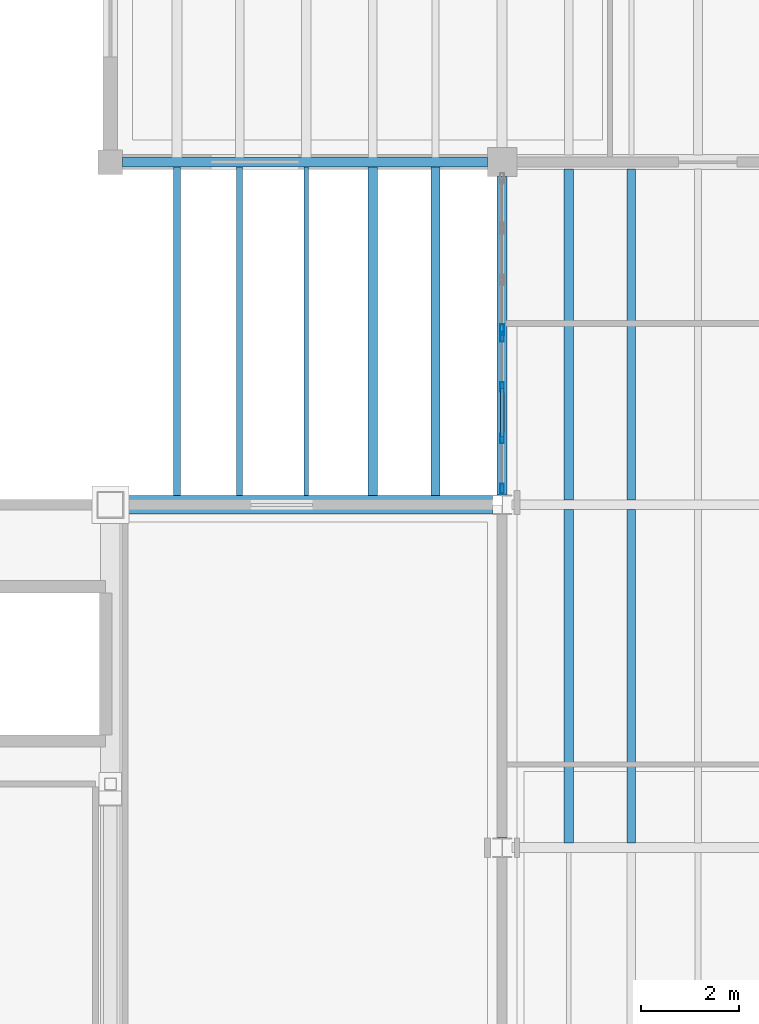
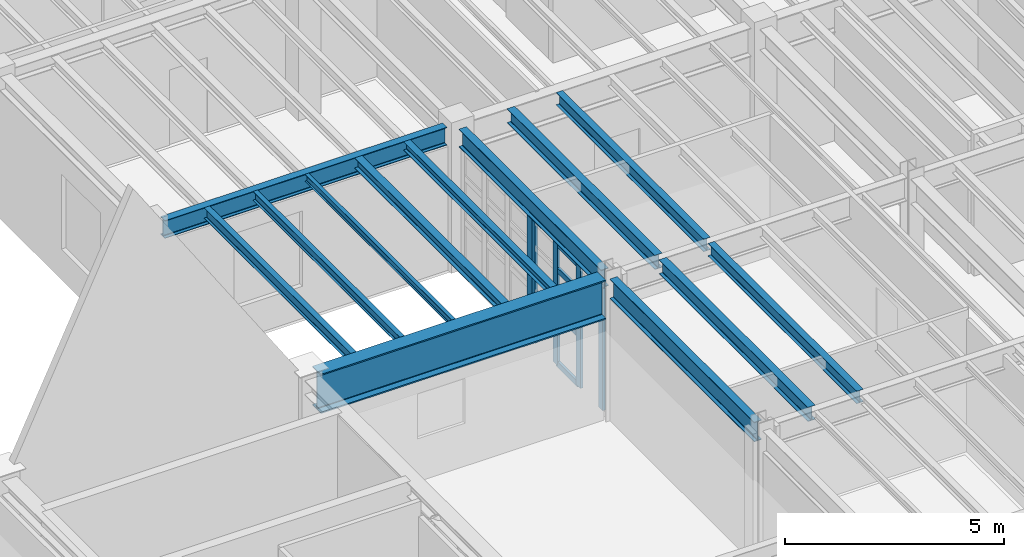
# One storey, part 41 of 78: 13 beams, 9 members, 2 elements without a shape of their own.
"""IFC4 building model written with IfcOpenShell, lengths in metres."""

from ifc_helpers import new_model, si_unit, direction, frame, origin, origin_2d, place, context, subcontext, project, spatial, hollow_rectangle, i_section, extrude, material, material_profile, profile_set, type_object, element, aggregate, save


model = new_model("IFC4")

# Units and contexts
model_context = context("Model", 3, precision=1e-05, world=origin(), true_north=direction((0.0, 1.0)))
body_context = subcontext(model_context, "Body", "Model", "MODEL_VIEW")
ifc_project = project(units=[si_unit("LENGTHUNIT", "METRE"), si_unit("AREAUNIT", "SQUARE_METRE"), si_unit("VOLUMEUNIT", "CUBIC_METRE"), si_unit("PLANEANGLEUNIT", "RADIAN"), si_unit("MASSUNIT", "GRAM", prefix="KILO"), si_unit("THERMODYNAMICTEMPERATUREUNIT", "KELVIN"), si_unit("POWERUNIT", "WATT")], contexts=[model_context])

# Site, building, storey
site_placement = place(None, origin())
site = spatial("IfcSite", under=ifc_project, at=site_placement, CompositionType="ELEMENT")
building_placement = place(site_placement, origin())
building = spatial("IfcBuilding", under=site, at=building_placement, Name="Zhenchuan Central Fire Station", CompositionType="ELEMENT")
storey_placement = place(building_placement, frame((0.0, 0.0, 5.85009765625)))
storey = spatial("IfcBuildingStorey", under=building, at=storey_placement, Name="L02", CompositionType="ELEMENT", Elevation=5.85009765625)

# Beams
ifc_material_1 = material(Name="Steel Q355B", Category="steel")
ifc_material_profile_1 = material_profile(ifc_material_1, i_section(OverallWidth=0.199951171875, OverallDepth=0.5, WebThickness=0.010009765625, FlangeThickness=0.01611328125, FilletRadius=0.02001953125, at=origin_2d()), Name="HN 500x200")
ifc_profile_set_1 = profile_set([ifc_material_profile_1], Name="Steel Q355B")
beam_type_1 = type_object("IfcBeamType", Name="BM-HN500-INT", PredefinedType="BEAM", material=ifc_profile_set_1)
beam_1_placement = place(storey_placement, frame((140.0, 35.699951171875, 3.7099609375), z_axis=(0.0, 1.0, 0.0), x_axis=(-1.0, 0.0, 0.0)))
element("IfcBeam", 1, at=beam_1_placement, inside=storey, type_object=beam_type_1, Name="L03 Girder NS 0323", PredefinedType="BEAM", context=body_context, shape_type="SweptSolid", body=[
    extrude(i_section(OverallWidth=0.199951171875, OverallDepth=0.5, WebThickness=0.010009765625, FlangeThickness=0.01611328125, FilletRadius=0.02001953125, at=origin_2d()), origin(), (0.0, 0.0, 1.0), 6.5),
])
ifc_material_profile_2 = material_profile(ifc_material_1, i_section(OverallWidth=0.199951171875, OverallDepth=0.550048828125, WebThickness=0.010009765625, FlangeThickness=0.01611328125, FilletRadius=0.02001953125, at=origin_2d()), Name="HN 550x200")
ifc_profile_set_2 = profile_set([ifc_material_profile_2], Name="Steel Q355B")
beam_type_2 = type_object("IfcBeamType", Name="BM-HN550-INT", PredefinedType="BEAM", material=ifc_profile_set_2)
beam_2_placement = place(storey_placement, frame((140.0, 28.699951171875, 3.684814453125), z_axis=(0.0, 1.0, 0.0), x_axis=(-1.0, 0.0, 0.0)))
element("IfcBeam", 2, at=beam_2_placement, inside=storey, type_object=beam_type_2, Name="L03 Girder NS 0322", PredefinedType="BEAM", context=body_context, shape_type="SweptSolid", body=[
    extrude(i_section(OverallWidth=0.199951171875, OverallDepth=0.550048828125, WebThickness=0.010009765625, FlangeThickness=0.01611328125, FilletRadius=0.02001953125, at=origin_2d()), origin(), (0.0, 0.0, 1.0), 6.60009765625),
])
ifc_material_profile_3 = material_profile(ifc_material_1, i_section(OverallWidth=0.3798828125, OverallDepth=1.10009765625, WebThickness=0.02001953125, FlangeThickness=0.035888671875, FilletRadius=0.02392578125, at=origin_2d()), Name="PG 1100x380")
ifc_profile_set_3 = profile_set([ifc_material_profile_3], Name="Steel Q355B")
beam_type_3 = type_object("IfcBeamType", Name="BM-PG1100", PredefinedType="BEAM", material=ifc_profile_set_3)
beam_3_placement = place(storey_placement, frame((132.27490234375, 35.5, 3.409912109375), z_axis=(1.0, 0.0, 0.0), x_axis=(0.0, 1.0, 0.0)))
element("IfcBeam", 3, at=beam_3_placement, inside=storey, type_object=beam_type_3, Name="L03 Girder EW 0238", PredefinedType="BEAM", context=body_context, shape_type="SweptSolid", body=[
    extrude(i_section(OverallWidth=0.3798828125, OverallDepth=1.10009765625, WebThickness=0.02001953125, FlangeThickness=0.035888671875, FilletRadius=0.02392578125, at=origin_2d()), origin(), (0.0, 0.0, 1.0), 7.525146484375),
])

# Curtain wall, members
ifc_material_2 = material(Name="Anodised aluminium and low-E glazing", Category="aluminium")
curtain_wall_type_1 = type_object("IfcCurtainWallType", Name="CW-MOD-11", PredefinedType="USERDEFINED", material=ifc_material_2)
curtain_wall_1_placement = place(storey_placement, origin())
curtain_wall_1 = element("IfcCurtainWall", 4, at=curtain_wall_1_placement, inside=storey, type_object=curtain_wall_type_1, Name="L02 Unitised Curtain Wall 098", ObjectType="UNITISED GLAZING", PredefinedType="USERDEFINED")
ifc_material_3 = material(Name="Anodised aluminium EN AW-6063", Category="aluminium")
ifc_material_profile_4 = material_profile(ifc_material_3, hollow_rectangle(XDim=0.074951171875, YDim=0.199951171875, WallThickness=0.0048828125, at=origin_2d()), Name="ALU-M 200x75")
ifc_profile_set_4 = profile_set([ifc_material_profile_4], Name="Anodised aluminium EN AW-6063")
member_type_1 = type_object("IfcMemberType", Name="CW-MUL160", PredefinedType="MULLION", material=ifc_profile_set_4)
member_1_placement = place(storey_placement, frame((140.0, 35.83251953125, -0.004150390625), z_axis=(0.0, 0.0, 1.0), x_axis=(-1.0, 0.0, 0.0)))
member_1 = element("IfcMember", 5, at=member_1_placement, type_object=member_type_1, Name="CW-11 mullion 1", PredefinedType="MULLION", context=body_context, shape_type="SweptSolid", body=[
    extrude(hollow_rectangle(XDim=0.074951171875, YDim=0.199951171875, WallThickness=0.0048828125, at=origin_2d()), origin(), (0.0, 0.0, 1.0), 3.404052734375),
])
member_2_placement = place(storey_placement, frame((140.0, 36.85400390625, -0.004150390625), z_axis=(0.0, 0.0, 1.0), x_axis=(-1.0, 0.0, 0.0)))
member_2 = element("IfcMember", 6, at=member_2_placement, type_object=member_type_1, Name="CW-11 mullion 2", PredefinedType="MULLION", context=body_context, shape_type="SweptSolid", body=[
    extrude(hollow_rectangle(XDim=0.074951171875, YDim=0.199951171875, WallThickness=0.0048828125, at=origin_2d()), origin(), (0.0, 0.0, 1.0), 3.404052734375),
])
member_3_placement = place(storey_placement, frame((140.0, 37.907958984375, -0.004150390625), z_axis=(0.0, 0.0, 1.0), x_axis=(-1.0, 0.0, 0.0)))
member_3 = element("IfcMember", 7, at=member_3_placement, type_object=member_type_1, Name="CW-11 mullion 3", PredefinedType="MULLION", context=body_context, shape_type="SweptSolid", body=[
    extrude(hollow_rectangle(XDim=0.074951171875, YDim=0.199951171875, WallThickness=0.0048828125, at=origin_2d()), origin(), (0.0, 0.0, 1.0), 3.404052734375),
])
member_4_placement = place(storey_placement, frame((140.0, 38.929443359375, -0.004150390625), z_axis=(0.0, 0.0, 1.0), x_axis=(-1.0, 0.0, 0.0)))
member_4 = element("IfcMember", 8, at=member_4_placement, type_object=member_type_1, Name="CW-11 mullion 4", PredefinedType="MULLION", context=body_context, shape_type="SweptSolid", body=[
    extrude(hollow_rectangle(XDim=0.074951171875, YDim=0.199951171875, WallThickness=0.0048828125, at=origin_2d()), origin(), (0.0, 0.0, 1.0), 3.404052734375),
])

# Curtain wall, member
curtain_wall_type_2 = type_object("IfcCurtainWallType", Name="CW-MOD-12", PredefinedType="USERDEFINED", material=ifc_material_2)
curtain_wall_2_placement = place(storey_placement, origin())
curtain_wall_2 = element("IfcCurtainWall", 9, at=curtain_wall_2_placement, inside=storey, type_object=curtain_wall_type_2, Name="L02 Unitised Curtain Wall 099", ObjectType="UNITISED GLAZING", PredefinedType="USERDEFINED")
ifc_material_profile_5 = material_profile(ifc_material_3, hollow_rectangle(XDim=0.080078125, YDim=0.219970703125, WallThickness=0.005615234375, at=origin_2d()), Name="ALU-M 220x80")
ifc_profile_set_5 = profile_set([ifc_material_profile_5], Name="Anodised aluminium EN AW-6063")
member_type_2 = type_object("IfcMemberType", Name="CW-MUL200", PredefinedType="MULLION", material=ifc_profile_set_5)
member_5_placement = place(storey_placement, frame((140.0, 39.075439453125, -0.004150390625), z_axis=(0.0, 0.0, 1.0), x_axis=(-1.0, 0.0, 0.0)))
member_5 = element("IfcMember", 10, at=member_5_placement, type_object=member_type_2, Name="CW-12 mullion 1", PredefinedType="MULLION", context=body_context, shape_type="SweptSolid", body=[
    extrude(hollow_rectangle(XDim=0.080078125, YDim=0.219970703125, WallThickness=0.005615234375, at=origin_2d()), origin(), (0.0, 0.0, 1.0), 3.404052734375),
])
aggregate(curtain_wall_2, [member_5])

# Member
ifc_material_profile_6 = material_profile(ifc_material_3, hollow_rectangle(XDim=0.074951171875, YDim=0.14990234375, WallThickness=0.0048828125, at=origin_2d()), Name="ALU-T 150x75")
ifc_profile_set_6 = profile_set([ifc_material_profile_6], Name="Anodised aluminium EN AW-6063")
member_type_3 = type_object("IfcMemberType", Name="CW-TRN130", PredefinedType="NOTDEFINED", material=ifc_profile_set_6)
member_6_placement = place(storey_placement, frame((140.0, 36.886474609375, 0.0283203125), z_axis=(0.0, 1.0, 0.0), x_axis=(-1.0, 0.0, 0.0)))
member_6 = element("IfcMember", 11, at=member_6_placement, type_object=member_type_3, Name="CW-11 transom 2.1", ObjectType="TRANSOM", PredefinedType="USERDEFINED", context=body_context, shape_type="SweptSolid", body=[
    extrude(hollow_rectangle(XDim=0.074951171875, YDim=0.14990234375, WallThickness=0.0048828125, at=origin_2d()), origin(), (0.0, 0.0, 1.0), 0.989013671875),
])

member_7_placement = place(storey_placement, frame((140.0, 36.886474609375, 1.427978515625), z_axis=(0.0, 1.0, 0.0), x_axis=(-1.0, 0.0, 0.0)))
member_7 = element("IfcMember", 12, at=member_7_placement, type_object=member_type_3, Name="CW-11 transom 2.2", ObjectType="TRANSOM", PredefinedType="USERDEFINED", context=body_context, shape_type="SweptSolid", body=[
    extrude(hollow_rectangle(XDim=0.074951171875, YDim=0.14990234375, WallThickness=0.0048828125, at=origin_2d()), origin(), (0.0, 0.0, 1.0), 0.989013671875),
])

member_8_placement = place(storey_placement, frame((140.0, 36.886474609375, 2.65185546875), z_axis=(0.0, 1.0, 0.0), x_axis=(-1.0, 0.0, 0.0)))
member_8 = element("IfcMember", 13, at=member_8_placement, type_object=member_type_3, Name="CW-11 transom 2.3", ObjectType="TRANSOM", PredefinedType="USERDEFINED", context=body_context, shape_type="SweptSolid", body=[
    extrude(hollow_rectangle(XDim=0.074951171875, YDim=0.14990234375, WallThickness=0.0048828125, at=origin_2d()), origin(), (0.0, 0.0, 1.0), 0.989013671875),
])

member_9_placement = place(storey_placement, frame((140.0, 36.886474609375, 3.367431640625), z_axis=(0.0, 1.0, 0.0), x_axis=(-1.0, 0.0, 0.0)))
member_9 = element("IfcMember", 14, at=member_9_placement, type_object=member_type_3, Name="CW-11 transom 2.4", ObjectType="TRANSOM", PredefinedType="USERDEFINED", context=body_context, shape_type="SweptSolid", body=[
    extrude(hollow_rectangle(XDim=0.074951171875, YDim=0.14990234375, WallThickness=0.0048828125, at=origin_2d()), origin(), (0.0, 0.0, 1.0), 0.989013671875),
])

aggregate(curtain_wall_1, [member_1, member_2, member_3, member_4, member_6, member_7, member_8, member_9])

# Beams
ifc_material_profile_7 = material_profile(ifc_material_1, i_section(OverallWidth=0.175048828125, OverallDepth=0.243896484375, WebThickness=0.007080078125, FlangeThickness=0.010986328125, FilletRadius=0.012939453125, at=origin_2d()), Name="HM 244x175")
ifc_profile_set_7 = profile_set([ifc_material_profile_7], Name="Steel Q355B")
beam_type_4 = type_object("IfcBeamType", Name="JS-HM244", PredefinedType="JOIST", material=ifc_profile_set_7)
beam_4_placement = place(storey_placement, frame((138.639892578125, 35.68701171875, 3.837890625), z_axis=(0.0, 1.0, 0.0), x_axis=(-1.0, 0.0, 0.0)))
element("IfcBeam", 15, at=beam_4_placement, inside=storey, type_object=beam_type_4, Name="L03 Secondary Joist 0476", PredefinedType="JOIST", context=body_context, shape_type="SweptSolid", body=[
    extrude(i_section(OverallWidth=0.175048828125, OverallDepth=0.243896484375, WebThickness=0.007080078125, FlangeThickness=0.010986328125, FilletRadius=0.012939453125, at=origin_2d()), origin(), (0.0, 0.0, 1.0), 6.716064453125),
])
ifc_material_profile_8 = material_profile(ifc_material_1, i_section(OverallWidth=0.199951171875, OverallDepth=0.2939453125, WebThickness=0.008056640625, FlangeThickness=0.011962890625, FilletRadius=0.01611328125, at=origin_2d()), Name="HM 294x200")
ifc_profile_set_8 = profile_set([ifc_material_profile_8], Name="Steel Q355B")
beam_type_5 = type_object("IfcBeamType", Name="JS-HM294", PredefinedType="JOIST", material=ifc_profile_set_8)
beam_5_placement = place(storey_placement, frame((137.360107421875, 35.68701171875, 3.81298828125), z_axis=(0.0, 1.0, 0.0), x_axis=(-1.0, 0.0, 0.0)))
element("IfcBeam", 16, at=beam_5_placement, inside=storey, type_object=beam_type_5, Name="L03 Secondary Joist 0475", PredefinedType="JOIST", context=body_context, shape_type="SweptSolid", body=[
    extrude(i_section(OverallWidth=0.199951171875, OverallDepth=0.2939453125, WebThickness=0.008056640625, FlangeThickness=0.011962890625, FilletRadius=0.01611328125, at=origin_2d()), origin(), (0.0, 0.0, 1.0), 6.716064453125),
])
ifc_material_profile_9 = material_profile(ifc_material_1, i_section(OverallWidth=0.10009765625, OverallDepth=0.199951171875, WebThickness=0.005615234375, FlangeThickness=0.008056640625, FilletRadius=0.010986328125, at=origin_2d()), Name="HN 200x100")
ifc_profile_set_9 = profile_set([ifc_material_profile_9], Name="Steel Q355B")
beam_type_6 = type_object("IfcBeamType", Name="JS-HN200", PredefinedType="JOIST", material=ifc_profile_set_9)
beam_6_placement = place(storey_placement, frame((136.0, 35.68701171875, 3.85986328125), z_axis=(0.0, 1.0, 0.0), x_axis=(-1.0, 0.0, 0.0)))
element("IfcBeam", 17, at=beam_6_placement, inside=storey, type_object=beam_type_6, Name="L03 Secondary Joist 0474", PredefinedType="JOIST", context=body_context, shape_type="SweptSolid", body=[
    extrude(i_section(OverallWidth=0.10009765625, OverallDepth=0.199951171875, WebThickness=0.005615234375, FlangeThickness=0.008056640625, FilletRadius=0.010986328125, at=origin_2d()), origin(), (0.0, 0.0, 1.0), 6.716064453125),
])
ifc_material_profile_10 = material_profile(ifc_material_1, i_section(OverallWidth=0.125, OverallDepth=0.25, WebThickness=0.006103515625, FlangeThickness=0.009033203125, FilletRadius=0.011962890625, at=origin_2d()), Name="HN 250x125")
ifc_profile_set_10 = profile_set([ifc_material_profile_10], Name="Steel Q355B")
beam_type_7 = type_object("IfcBeamType", Name="JS-HN250", PredefinedType="JOIST", material=ifc_profile_set_10)
beam_7_placement = place(storey_placement, frame((134.639892578125, 35.68701171875, 3.8349609375), z_axis=(0.0, 1.0, 0.0), x_axis=(-1.0, 0.0, 0.0)))
element("IfcBeam", 18, at=beam_7_placement, inside=storey, type_object=beam_type_7, Name="L03 Secondary Joist 0473", PredefinedType="JOIST", context=body_context, shape_type="SweptSolid", body=[
    extrude(i_section(OverallWidth=0.125, OverallDepth=0.25, WebThickness=0.006103515625, FlangeThickness=0.009033203125, FilletRadius=0.011962890625, at=origin_2d()), origin(), (0.0, 0.0, 1.0), 6.716064453125),
])
ifc_material_profile_11 = material_profile(ifc_material_1, i_section(OverallWidth=0.14990234375, OverallDepth=0.300048828125, WebThickness=0.006591796875, FlangeThickness=0.009033203125, FilletRadius=0.012939453125, at=origin_2d()), Name="HN 300x150")
ifc_profile_set_11 = profile_set([ifc_material_profile_11], Name="Steel Q355B")
beam_type_8 = type_object("IfcBeamType", Name="JS-HN300", PredefinedType="JOIST", material=ifc_profile_set_11)
beam_8_placement = place(storey_placement, frame((133.360107421875, 35.68701171875, 3.809814453125), z_axis=(0.0, 1.0, 0.0), x_axis=(-1.0, 0.0, 0.0)))
element("IfcBeam", 19, at=beam_8_placement, inside=storey, type_object=beam_type_8, Name="L03 Secondary Joist 0472", PredefinedType="JOIST", context=body_context, shape_type="SweptSolid", body=[
    extrude(i_section(OverallWidth=0.14990234375, OverallDepth=0.300048828125, WebThickness=0.006591796875, FlangeThickness=0.009033203125, FilletRadius=0.012939453125, at=origin_2d()), origin(), (0.0, 0.0, 1.0), 6.716064453125),
])
ifc_material_profile_12 = material_profile(ifc_material_1, i_section(OverallWidth=0.175048828125, OverallDepth=0.35009765625, WebThickness=0.007080078125, FlangeThickness=0.010986328125, FilletRadius=0.013916015625, at=origin_2d()), Name="HN 350x175")
ifc_profile_set_12 = profile_set([ifc_material_profile_12], Name="Steel Q355B")
beam_type_9 = type_object("IfcBeamType", Name="JS-HN350", PredefinedType="JOIST", material=ifc_profile_set_12)
beam_9_placement = place(storey_placement, frame((142.639892578125, 28.596923828125, 3.784912109375), z_axis=(0.0, 1.0, 0.0), x_axis=(-1.0, 0.0, 0.0)))
element("IfcBeam", 20, at=beam_9_placement, inside=storey, type_object=beam_type_9, Name="L03 Secondary Joist 0443", PredefinedType="JOIST", context=body_context, shape_type="SweptSolid", body=[
    extrude(i_section(OverallWidth=0.175048828125, OverallDepth=0.35009765625, WebThickness=0.007080078125, FlangeThickness=0.010986328125, FilletRadius=0.013916015625, at=origin_2d()), origin(), (0.0, 0.0, 1.0), 6.80615234375),
])
beam_10_placement = place(storey_placement, frame((142.639892578125, 35.596923828125, 3.784912109375), z_axis=(0.0, 1.0, 0.0), x_axis=(-1.0, 0.0, 0.0)))
element("IfcBeam", 21, at=beam_10_placement, inside=storey, type_object=beam_type_9, Name="L03 Secondary Joist 0478", PredefinedType="JOIST", context=body_context, shape_type="SweptSolid", body=[
    extrude(i_section(OverallWidth=0.175048828125, OverallDepth=0.35009765625, WebThickness=0.007080078125, FlangeThickness=0.010986328125, FilletRadius=0.013916015625, at=origin_2d()), origin(), (0.0, 0.0, 1.0), 6.756103515625),
])
ifc_material_profile_13 = material_profile(ifc_material_1, i_section(OverallWidth=0.199951171875, OverallDepth=0.39990234375, WebThickness=0.008056640625, FlangeThickness=0.012939453125, FilletRadius=0.01611328125, at=origin_2d()), Name="HN 400x200")
ifc_profile_set_13 = profile_set([ifc_material_profile_13], Name="Steel Q355B")
beam_type_10 = type_object("IfcBeamType", Name="JS-HN400", PredefinedType="JOIST", material=ifc_profile_set_13)
beam_11_placement = place(storey_placement, frame((141.360107421875, 28.596923828125, 3.760009765625), z_axis=(0.0, 1.0, 0.0), x_axis=(-1.0, 0.0, 0.0)))
element("IfcBeam", 22, at=beam_11_placement, inside=storey, type_object=beam_type_10, Name="L03 Secondary Joist 0442", PredefinedType="JOIST", context=body_context, shape_type="SweptSolid", body=[
    extrude(i_section(OverallWidth=0.199951171875, OverallDepth=0.39990234375, WebThickness=0.008056640625, FlangeThickness=0.012939453125, FilletRadius=0.01611328125, at=origin_2d()), origin(), (0.0, 0.0, 1.0), 6.80615234375),
])
beam_12_placement = place(storey_placement, frame((141.360107421875, 35.596923828125, 3.760009765625), z_axis=(0.0, 1.0, 0.0), x_axis=(-1.0, 0.0, 0.0)))
element("IfcBeam", 23, at=beam_12_placement, inside=storey, type_object=beam_type_10, Name="L03 Secondary Joist 0477", PredefinedType="JOIST", context=body_context, shape_type="SweptSolid", body=[
    extrude(i_section(OverallWidth=0.199951171875, OverallDepth=0.39990234375, WebThickness=0.008056640625, FlangeThickness=0.012939453125, FilletRadius=0.01611328125, at=origin_2d()), origin(), (0.0, 0.0, 1.0), 6.756103515625),
])
ifc_material_profile_14 = material_profile(ifc_material_1, i_section(OverallWidth=0.199951171875, OverallDepth=0.5, WebThickness=0.010009765625, FlangeThickness=0.01611328125, FilletRadius=0.02001953125, at=origin_2d()), Name="HN 500x200")
ifc_profile_set_14 = profile_set([ifc_material_profile_14], Name="Steel Q355B")
beam_type_11 = type_object("IfcBeamType", Name="SP-HN500-INT", PredefinedType="SPANDREL", material=ifc_profile_set_14)
beam_13_placement = place(storey_placement, frame((132.25, 42.5, 3.7099609375), z_axis=(1.0, 0.0, 0.0), x_axis=(0.0, 1.0, 0.0)))
element("IfcBeam", 24, at=beam_13_placement, inside=storey, type_object=beam_type_11, Name="L03 Girder EW 0249", PredefinedType="SPANDREL", context=body_context, shape_type="SweptSolid", body=[
    extrude(i_section(OverallWidth=0.199951171875, OverallDepth=0.5, WebThickness=0.010009765625, FlangeThickness=0.01611328125, FilletRadius=0.02001953125, at=origin_2d()), origin(), (0.0, 0.0, 1.0), 7.449951171875),
])

save(model, "model.ifc")
